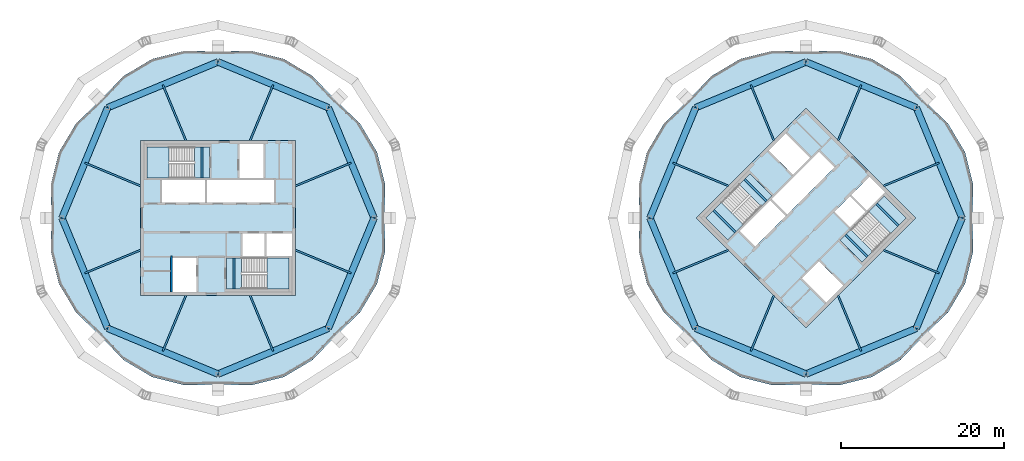
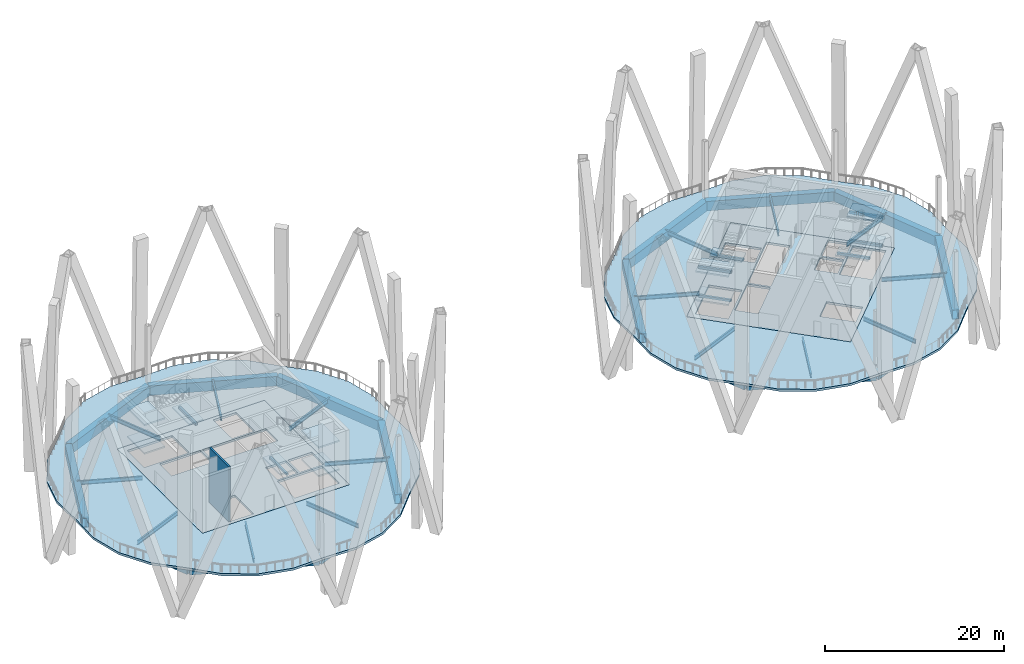
# One storey, part 3 of 13: 40 beams, 16 slabs, 1 wall, 4 elements without a shape of their own.
"""IFC4 building model written with IfcOpenShell, lengths in metres."""

from ifc_helpers import new_model, si_unit, direction, frame, frame_2d, origin, origin_2d, place, context, subcontext, project, spatial, polyline, rectangle, hollow_rectangle, i_section, outline, extrude, material, layer, layer_set, material_profile, profile_set, type_object, element, aggregate, save


model = new_model("IFC4")

# Units and contexts
model_context = context("Model", 3, precision=1e-05, world=origin(), true_north=direction((0.0, 1.0)))
body_context = subcontext(model_context, "Body", "Model", "MODEL_VIEW")
ifc_project = project(units=[si_unit("LENGTHUNIT", "METRE"), si_unit("AREAUNIT", "SQUARE_METRE"), si_unit("VOLUMEUNIT", "CUBIC_METRE"), si_unit("PLANEANGLEUNIT", "RADIAN"), si_unit("MASSUNIT", "GRAM", prefix="KILO")], contexts=[model_context])

# Site, building, storey
site_placement = place(None, origin())
site = spatial("IfcSite", under=ifc_project, at=site_placement, CompositionType="ELEMENT")
building_placement = place(site_placement, origin())
building = spatial("IfcBuilding", under=site, at=building_placement, Name="Ogive Gate Towers", CompositionType="ELEMENT")
storey_placement = place(building_placement, frame((0.0, 0.0, 221.10009765625)))
storey = spatial("IfcBuildingStorey", under=building, at=storey_placement, Name="L53", CompositionType="ELEMENT", Elevation=221.10009765625)

# Beams
ifc_material_1 = material(Name="Steel SM460", Category="steel")
ifc_material_profile_1 = material_profile(ifc_material_1, hollow_rectangle(XDim=0.800048828125, YDim=1.300048828125, WallThickness=0.050048828125, at=origin_2d()), Name="BX 1300x800x50")
ifc_profile_set_1 = profile_set([ifc_material_profile_1], Name="Steel SM460")
beam_type_1 = type_object("IfcBeamType", Name="Edge girder BX 1300x800x50", PredefinedType="BEAM", material=ifc_profile_set_1)
for number, where, z_axis, x_axis, name in (
    (1, (-49.5126953125, -13.5126953125, -0.9501953125), (0.923872994947, -0.38269921506, 0.0), (0.38269921506, 0.923872994947, 0.0), "T1/L53/SBM009"),
    (2, (-36.0, -19.110107421875, -0.9501953125), (0.923872994947, 0.38269921506, 0.0), (-0.38269921506, 0.923872994947, 0.0), "T1/L53/SBM010"),
    (3, (-22.4873046875, -13.5126953125, -0.9501953125), (0.38269921506, 0.923872994947, 0.0), (-0.923872994947, 0.38269921506, 0.0), "T1/L53/SBM011"),
    (4, (-16.889892578125, 0.0, -0.9501953125), (-0.38269921506, 0.923872994947, 0.0), (-0.923872994947, -0.38269921506, 0.0), "T1/L53/SBM012"),
    (5, (-22.4873046875, 13.5126953125, -0.9501953125), (-0.923872994947, 0.38269921506, 0.0), (-0.38269921506, -0.923872994947, 0.0), "T1/L53/SBM013"),
    (6, (-36.0, 19.110107421875, -0.9501953125), (-0.923872994947, -0.38269921506, 0.0), (0.38269921506, -0.923872994947, 0.0), "T1/L53/SBM014"),
    (7, (-49.5126953125, 13.5126953125, -0.9501953125), (-0.38269921506, -0.923872994947, 0.0), (0.923872994947, -0.38269921506, 0.0), "T1/L53/SBM015"),
    (8, (-55.110107421875, 0.0, -0.9501953125), (0.38269921506, -0.923872994947, 0.0), (0.923872994947, 0.38269921506, 0.0), "T1/L53/SBM016"),
    (9, (22.4873046875, -13.5126953125, -0.9501953125), (0.923872994947, -0.38269921506, 0.0), (0.38269921506, 0.923872994947, 0.0), "T2/L53/SBM009"),
    (10, (36.0, -19.110107421875, -0.9501953125), (0.923872994947, 0.38269921506, 0.0), (-0.38269921506, 0.923872994947, 0.0), "T2/L53/SBM010"),
    (11, (49.5126953125, -13.5126953125, -0.9501953125), (0.38269921506, 0.923872994947, 0.0), (-0.923872994947, 0.38269921506, 0.0), "T2/L53/SBM011"),
    (12, (55.110107421875, 0.0, -0.9501953125), (-0.38269921506, 0.923872994947, 0.0), (-0.923872994947, -0.38269921506, 0.0), "T2/L53/SBM012"),
    (13, (49.5126953125, 13.5126953125, -0.9501953125), (-0.923872994947, 0.38269921506, 0.0), (-0.38269921506, -0.923872994947, 0.0), "T2/L53/SBM013"),
    (14, (36.0, 19.110107421875, -0.9501953125), (-0.923872994947, -0.38269921506, 0.0), (0.38269921506, -0.923872994947, 0.0), "T2/L53/SBM014"),
    (15, (22.4873046875, 13.5126953125, -0.9501953125), (-0.38269921506, -0.923872994947, 0.0), (0.923872994947, -0.38269921506, 0.0), "T2/L53/SBM015"),
    (16, (16.889892578125, 0.0, -0.9501953125), (0.38269921506, -0.923872994947, 0.0), (0.923872994947, 0.38269921506, 0.0), "T2/L53/SBM016"),
):
    element("IfcBeam", number, at=place(storey_placement, frame(where, z_axis=z_axis, x_axis=x_axis)), inside=storey, type_object=beam_type_1, Name=name, PredefinedType="BEAM", context=body_context, shape_type="SweptSolid", body=[
        extrude(hollow_rectangle(XDim=0.800048828125, YDim=1.300048828125, WallThickness=0.050048828125, at=origin_2d()), origin(), (0.0, 0.0, 1.0), 14.626220703125),
    ])
ifc_material_2 = material(Name="Concrete C40/50", Category="concrete")
ifc_material_profile_2 = material_profile(ifc_material_2, rectangle(XDim=0.25, YDim=0.300048828125, at=origin_2d()), Name="RC 250x300")
ifc_profile_set_2 = profile_set([ifc_material_profile_2], Name="Concrete C40/50")
beam_type_2 = type_object("IfcBeamType", Name="Landing bearer RC 250x300", PredefinedType="BEAM", material=ifc_profile_set_2)
for number, where, z_axis, x_axis, name in (
    (17, (-37.955078125, 8.699951171875, 3.5498046875), (0.0, -1.0, 0.0), (1.0, 0.0, 0.0), "T1 L53 stair 1 landing bearer 2"),
    (18, (-34.044921875, -8.699951171875, 3.5498046875), (0.0, 1.0, 0.0), (-1.0, 0.0, 0.0), "T1 L53 stair 2 landing bearer 2"),
    (19, (24.650390625, 0.9541015625, 1.599853515625), (0.707106781187, -0.707106781187, 0.0), (0.707106781187, 0.707106781187, 0.0), "T2 L53 stair 1 landing bearer 1"),
    (20, (28.4658203125, 4.769287109375, 3.5498046875), (0.707106781187, -0.707106781187, 0.0), (0.707106781187, 0.707106781187, 0.0), "T2 L53 stair 1 landing bearer 2"),
    (21, (24.650390625, 0.9541015625, 5.5), (0.707106781187, -0.707106781187, 0.0), (0.707106781187, 0.707106781187, 0.0), "T2 L53 stair 1 landing bearer 3"),
    (22, (47.349609375, -0.9541015625, 1.599853515625), (-0.707106781187, 0.707106781187, 0.0), (-0.707106781187, -0.707106781187, 0.0), "T2 L53 stair 2 landing bearer 1"),
    (23, (43.5341796875, -4.769287109375, 3.5498046875), (-0.707106781187, 0.707106781187, 0.0), (-0.707106781187, -0.707106781187, 0.0), "T2 L53 stair 2 landing bearer 2"),
    (24, (47.349609375, -0.9541015625, 5.5), (-0.707106781187, 0.707106781187, 0.0), (-0.707106781187, -0.707106781187, 0.0), "T2 L53 stair 2 landing bearer 3"),
):
    element("IfcBeam", number, at=place(storey_placement, frame(where, z_axis=z_axis, x_axis=x_axis)), inside=storey, type_object=beam_type_2, Name=name, PredefinedType="BEAM", context=body_context, shape_type="SweptSolid", body=[
        extrude(rectangle(XDim=0.25, YDim=0.300048828125, at=origin_2d()), origin(), (0.0, 0.0, 1.0), 3.824951171875),
    ])
ifc_material_3 = material(Name="Steel SM355", Category="steel")
ifc_material_profile_3 = material_profile(ifc_material_3, i_section(OverallWidth=0.2099609375, OverallDepth=0.550048828125, WebThickness=0.010986328125, FlangeThickness=0.01708984375, FilletRadius=0.02392578125, at=origin_2d()), Name="IPE 550")
ifc_profile_set_3 = profile_set([ifc_material_profile_3], Name="Steel SM355")
beam_type_3 = type_object("IfcBeamType", Name="Radial floor beam IPE 550", PredefinedType="BEAM", material=ifc_profile_set_3)
for number, where, z_axis, x_axis, name in (
    (25, (-39.93505859375, -9.5, -0.5751953125), (-0.382667649558, -0.923886069806, 0.0), (0.923886069806, -0.382667649558, 0.0), "T1/L53/SBM001"),
    (26, (-32.06494140625, -9.5, -0.5751953125), (0.382667649558, -0.923886069806, 0.0), (0.923886069806, 0.382667649558, 0.0), "T1/L53/SBM002"),
    (27, (-26.5, -3.93505859375, -0.5751953125), (0.923886069806, -0.382667649558, 0.0), (0.382667649558, 0.923886069806, 0.0), "T1/L53/SBM003"),
    (28, (-26.5, 3.93505859375, -0.5751953125), (0.923886069806, 0.382667649558, 0.0), (-0.382667649558, 0.923886069806, 0.0), "T1/L53/SBM004"),
    (29, (-32.06494140625, 9.5, -0.5751953125), (0.382667649558, 0.923886069806, 0.0), (-0.923886069806, 0.382667649558, 0.0), "T1/L53/SBM005"),
    (30, (-39.93505859375, 9.5, -0.5751953125), (-0.382667649558, 0.923886069806, 0.0), (-0.923886069806, -0.382667649558, 0.0), "T1/L53/SBM006"),
    (31, (-45.5, 3.93505859375, -0.5751953125), (-0.923886069806, 0.382667649558, 0.0), (-0.382667649558, -0.923886069806, 0.0), "T1/L53/SBM007"),
    (32, (-45.5, -3.93505859375, -0.5751953125), (-0.923886069806, -0.382667649558, 0.0), (0.382667649558, -0.923886069806, 0.0), "T1/L53/SBM008"),
    (33, (32.06494140625, -9.5, -0.5751953125), (-0.382667649558, -0.923886069806, 0.0), (0.923886069806, -0.382667649558, 0.0), "T2/L53/SBM001"),
    (34, (39.93505859375, -9.5, -0.5751953125), (0.382667649558, -0.923886069806, 0.0), (0.923886069806, 0.382667649558, 0.0), "T2/L53/SBM002"),
    (35, (45.5, -3.93505859375, -0.5751953125), (0.923886069806, -0.382667649558, 0.0), (0.382667649558, 0.923886069806, 0.0), "T2/L53/SBM003"),
    (36, (45.5, 3.93505859375, -0.5751953125), (0.923886069806, 0.382667649558, 0.0), (-0.382667649558, 0.923886069806, 0.0), "T2/L53/SBM004"),
    (37, (39.93505859375, 9.5, -0.5751953125), (0.382667649558, 0.923886069806, 0.0), (-0.923886069806, 0.382667649558, 0.0), "T2/L53/SBM005"),
    (38, (32.06494140625, 9.5, -0.5751953125), (-0.382667649558, 0.923886069806, 0.0), (-0.923886069806, -0.382667649558, 0.0), "T2/L53/SBM006"),
    (39, (26.5, 3.93505859375, -0.5751953125), (-0.923886069806, 0.382667649558, 0.0), (-0.382667649558, -0.923886069806, 0.0), "T2/L53/SBM007"),
    (40, (26.5, -3.93505859375, -0.5751953125), (-0.923886069806, -0.382667649558, 0.0), (0.382667649558, -0.923886069806, 0.0), "T2/L53/SBM008"),
):
    element("IfcBeam", number, at=place(storey_placement, frame(where, z_axis=z_axis, x_axis=x_axis)), inside=storey, type_object=beam_type_3, Name=name, PredefinedType="BEAM", context=body_context, shape_type="SweptSolid", body=[
        extrude(i_section(OverallWidth=0.2099609375, OverallDepth=0.550048828125, WebThickness=0.010986328125, FlangeThickness=0.01708984375, FilletRadius=0.02392578125, at=origin_2d()), origin(), (0.0, 0.0, 1.0), 7.372802734375),
    ])

# Slabs
ifc_layer_1 = layer(ifc_material_2, 0.300048828125)
ifc_layer_set_1 = layer_set([ifc_layer_1], Name="Core slab C40/50 300 mm")
slab_type_1 = type_object("IfcSlabType", Name="Core slab C40/50 300 mm", PredefinedType="FLOOR", material=ifc_layer_set_1)
slab_1_placement = place(storey_placement, frame((0.0, 0.0, -0.300048828125)))
element("IfcSlab", 41, at=slab_1_placement, inside=storey, type_object=slab_type_1, Name="T1 L53 core slab", PredefinedType="FLOOR", context=body_context, shape_type="SweptSolid", body=[
    extrude(outline(polyline([(-45.5, -9.5), (-45.5, 9.5), (-26.5, 9.5), (-26.5, -9.5), (-45.5, -9.5)]), holes=[polyline([(-42.875, 1.925048828125), (-37.574951171875, 1.925048828125), (-37.574951171875, 4.625), (-42.875, 4.625), (-42.875, 1.925048828125)]), polyline([(-37.324951171875, 4.625), (-37.324951171875, 1.925048828125), (-29.125, 1.925048828125), (-29.125, 4.625), (-37.324951171875, 4.625)]), polyline([(-30.324951171875, -1.925048828125), (-32.97509765625, -1.925048828125), (-32.97509765625, -4.625), (-30.324951171875, -4.625), (-30.324951171875, -1.925048828125)]), polyline([(-26.949951171875, -4.625), (-26.949951171875, -1.925048828125), (-30.074951171875, -1.925048828125), (-30.074951171875, -4.625), (-26.949951171875, -4.625)]), polyline([(-33.375, 4.875), (-30.425048828125, 4.875), (-30.425048828125, 9.050048828125), (-33.375, 9.050048828125), (-33.375, 4.875)]), polyline([(-41.574951171875, -4.875), (-41.574951171875, -9.050048828125), (-38.625, -9.050048828125), (-38.625, -4.875), (-41.574951171875, -4.875)]), polyline([(-44.699951171875, 4.875), (-38.885009765625, 4.875), (-38.885009765625, 8.699951171875), (-44.699951171875, 8.699951171875), (-44.699951171875, 4.875)]), polyline([(-27.300048828125, -8.699951171875), (-27.300048828125, -4.875), (-33.114990234375, -4.875), (-33.114990234375, -8.699951171875), (-27.300048828125, -8.699951171875)])]), origin(), (0.0, 0.0, 1.0), 0.300048828125),
])
slab_2_placement = place(storey_placement, frame((0.0, 0.0, -0.300048828125)))
element("IfcSlab", 42, at=slab_2_placement, inside=storey, type_object=slab_type_1, Name="T2 L53 core slab", PredefinedType="FLOOR", context=body_context, shape_type="SweptSolid", body=[
    extrude(outline(polyline([(36.0, -13.43505859375), (22.56494140625, 0.0), (36.0, 13.43505859375), (49.43505859375, 0.0), (36.0, -13.43505859375)]), holes=[polyline([(29.777587890625, -3.500244140625), (33.525146484375, 0.24755859375), (31.615966796875, 2.15673828125), (27.868408203125, -1.591064453125), (29.777587890625, -3.500244140625)]), polyline([(31.792724609375, 2.33349609375), (33.701904296875, 0.42431640625), (39.500244140625, 6.222412109375), (37.591064453125, 8.131591796875), (31.792724609375, 2.33349609375)]), polyline([(41.3740234375, 2.651611328125), (39.500244140625, 0.77783203125), (41.409423828125, -1.13134765625), (43.283203125, 0.742431640625), (41.3740234375, 2.651611328125)]), polyline([(45.669677734375, 3.12890625), (43.760498046875, 5.0380859375), (41.55078125, 2.828369140625), (43.4599609375, 0.919189453125), (45.669677734375, 3.12890625)]), polyline([(34.408935546875, 5.30322265625), (36.4951171875, 7.389404296875), (33.542724609375, 10.34130859375), (31.456787109375, 8.255615234375), (34.408935546875, 5.30322265625)]), polyline([(35.5048828125, -7.389404296875), (38.457275390625, -10.34130859375), (40.543212890625, -8.255615234375), (37.591064453125, -5.30322265625), (35.5048828125, -7.389404296875)]), polyline([(26.40087890625, -2.70458984375), (30.512939453125, 1.406982421875), (27.80810546875, 4.11181640625), (23.6962890625, 0.0), (26.40087890625, -2.70458984375)]), polyline([(48.3037109375, 0.0), (45.59912109375, 2.70458984375), (41.487060546875, -1.406982421875), (44.19189453125, -4.11181640625), (48.3037109375, 0.0)])]), origin(), (0.0, 0.0, 1.0), 0.300048828125),
])
ifc_material_4 = material(Name="Concrete C35/45", Category="concrete")
ifc_layer_2 = layer(ifc_material_4, 0.300048828125)
ifc_layer_set_2 = layer_set([ifc_layer_2], Name="Floor slab 300")
slab_type_2 = type_object("IfcSlabType", Name="Floor slab 300", PredefinedType="FLOOR", material=ifc_layer_set_2)
slab_3_placement = place(storey_placement, frame((0.0, 0.0, -0.300048828125)))
element("IfcSlab", 43, at=slab_3_placement, inside=storey, type_object=slab_type_2, Name="T1/L53/SSL001", PredefinedType="FLOOR", context=body_context, shape_type="SweptSolid", body=[
    extrude(outline(polyline([(-15.521240234375, -4.073486328125), (-15.6201171875, 0.0), (-15.521240234375, 4.073486328125), (-16.524658203125, 8.06689453125), (-18.638916015625, 11.600341796875), (-21.589111328125, 14.410888671875), (-24.399658203125, 17.361083984375), (-27.93310546875, 19.475341796875), (-31.926513671875, 20.478759765625), (-36.0, 20.3798828125), (-40.073486328125, 20.478759765625), (-44.06689453125, 19.475341796875), (-47.600341796875, 17.361083984375), (-50.410888671875, 14.410888671875), (-53.361083984375, 11.600341796875), (-55.475341796875, 8.06689453125), (-56.478759765625, 4.073486328125), (-56.3798828125, 0.0), (-56.478759765625, -4.073486328125), (-55.475341796875, -8.06689453125), (-53.361083984375, -11.600341796875), (-50.410888671875, -14.410888671875), (-47.600341796875, -17.361083984375), (-44.06689453125, -19.475341796875), (-40.073486328125, -20.478759765625), (-36.0, -20.3798828125), (-31.926513671875, -20.478759765625), (-27.93310546875, -19.475341796875), (-24.399658203125, -17.361083984375), (-21.589111328125, -14.410888671875), (-18.638916015625, -11.600341796875), (-16.524658203125, -8.06689453125), (-15.521240234375, -4.073486328125)]), holes=[polyline([(-26.5, -9.5), (-45.5, -9.5), (-45.5, 9.5), (-26.5, 9.5), (-26.5, -9.5)])]), origin(), (0.0, 0.0, 1.0), 0.300048828125),
])
slab_4_placement = place(storey_placement, frame((0.0, 0.0, -0.300048828125)))
element("IfcSlab", 44, at=slab_4_placement, inside=storey, type_object=slab_type_2, Name="T2/L53/SSL001", PredefinedType="FLOOR", context=body_context, shape_type="SweptSolid", body=[
    extrude(outline(polyline([(56.478759765625, -4.073486328125), (56.3798828125, 0.0), (56.478759765625, 4.073486328125), (55.475341796875, 8.06689453125), (53.361083984375, 11.600341796875), (50.410888671875, 14.410888671875), (47.600341796875, 17.361083984375), (44.06689453125, 19.475341796875), (40.073486328125, 20.478759765625), (36.0, 20.3798828125), (31.926513671875, 20.478759765625), (27.93310546875, 19.475341796875), (24.399658203125, 17.361083984375), (21.589111328125, 14.410888671875), (18.638916015625, 11.600341796875), (16.524658203125, 8.06689453125), (15.521240234375, 4.073486328125), (15.6201171875, 0.0), (15.521240234375, -4.073486328125), (16.524658203125, -8.06689453125), (18.638916015625, -11.600341796875), (21.589111328125, -14.410888671875), (24.399658203125, -17.361083984375), (27.93310546875, -19.475341796875), (31.926513671875, -20.478759765625), (36.0, -20.3798828125), (40.073486328125, -20.478759765625), (44.06689453125, -19.475341796875), (47.600341796875, -17.361083984375), (50.410888671875, -14.410888671875), (53.361083984375, -11.600341796875), (55.475341796875, -8.06689453125), (56.478759765625, -4.073486328125)]), holes=[polyline([(49.43505859375, 0.0), (36.0, -13.43505859375), (22.56494140625, 0.0), (36.0, 13.43505859375), (49.43505859375, 0.0)])]), origin(), (0.0, 0.0, 1.0), 0.300048828125),
])

# Stair, slabs
stair_type = type_object("IfcStairType", Name="Escape stair 1840 wide", PredefinedType="HALF_TURN_STAIR", material=ifc_material_2)
stair_1_placement = place(storey_placement, origin())
stair_1 = element("IfcStair", 45, at=stair_1_placement, inside=storey, type_object=stair_type, Name="L53 Escape stair 1", PredefinedType="HALF_TURN_STAIR")
ifc_layer_3 = layer(ifc_material_2, 0.199951171875)
ifc_layer_set_3 = layer_set([ifc_layer_3], Name="Stair landing 200 mm")
slab_type_3 = type_object("IfcSlabType", Name="Stair landing 200 mm", PredefinedType="LANDING", material=ifc_layer_set_3)
slab_5_placement = place(storey_placement, frame((0.0, 0.0, 1.75)))
slab_5 = element("IfcSlab", 46, at=slab_5_placement, type_object=slab_type_3, Name="ST1 landing 1", PredefinedType="LANDING", context=body_context, shape_type="SweptSolid", body=[
    extrude(outline(polyline([(-42.00146484375, 8.699951171875), (-44.699951171875, 8.699951171875), (-44.699951171875, 4.875), (-42.00146484375, 4.875), (-42.00146484375, 8.699951171875)])), origin(), (0.0, 0.0, 1.0), 0.199951171875),
])
slab_6_placement = place(storey_placement, frame((0.0, 0.0, 3.699951171875)))
slab_6 = element("IfcSlab", 47, at=slab_6_placement, type_object=slab_type_3, Name="ST1 landing 2", PredefinedType="LANDING", context=body_context, shape_type="SweptSolid", body=[
    extrude(outline(polyline([(-37.02490234375, 8.699951171875), (-38.885009765625, 8.699951171875), (-38.885009765625, 4.875), (-37.02490234375, 4.875), (-37.02490234375, 8.699951171875)])), origin(), (0.0, 0.0, 1.0), 0.199951171875),
])
slab_7_placement = place(storey_placement, frame((0.0, 0.0, 5.64990234375)))
slab_7 = element("IfcSlab", 48, at=slab_7_placement, type_object=slab_type_3, Name="ST1 landing 3", PredefinedType="LANDING", context=body_context, shape_type="SweptSolid", body=[
    extrude(outline(polyline([(-42.00146484375, 8.699951171875), (-44.699951171875, 8.699951171875), (-44.699951171875, 4.875), (-42.00146484375, 4.875), (-42.00146484375, 8.699951171875)])), origin(), (0.0, 0.0, 1.0), 0.199951171875),
])
aggregate(stair_1, [slab_5, slab_6, slab_7])

stair_2_placement = place(storey_placement, origin())
stair_2 = element("IfcStair", 49, at=stair_2_placement, inside=storey, type_object=stair_type, Name="L53 Escape stair 2", PredefinedType="HALF_TURN_STAIR")
slab_8_placement = place(storey_placement, frame((0.0, 0.0, 1.75)))
slab_8 = element("IfcSlab", 50, at=slab_8_placement, type_object=slab_type_3, Name="ST2 landing 1", PredefinedType="LANDING", context=body_context, shape_type="SweptSolid", body=[
    extrude(outline(polyline([(-29.99853515625, -8.699951171875), (-27.300048828125, -8.699951171875), (-27.300048828125, -4.875), (-29.99853515625, -4.875), (-29.99853515625, -8.699951171875)])), origin(), (0.0, 0.0, 1.0), 0.199951171875),
])
slab_9_placement = place(storey_placement, frame((0.0, 0.0, 3.699951171875)))
slab_9 = element("IfcSlab", 51, at=slab_9_placement, type_object=slab_type_3, Name="ST2 landing 2", PredefinedType="LANDING", context=body_context, shape_type="SweptSolid", body=[
    extrude(outline(polyline([(-34.97509765625, -8.699951171875), (-33.114990234375, -8.699951171875), (-33.114990234375, -4.875), (-34.97509765625, -4.875), (-34.97509765625, -8.699951171875)])), origin(), (0.0, 0.0, 1.0), 0.199951171875),
])
slab_10_placement = place(storey_placement, frame((0.0, 0.0, 5.64990234375)))
slab_10 = element("IfcSlab", 52, at=slab_10_placement, type_object=slab_type_3, Name="ST2 landing 3", PredefinedType="LANDING", context=body_context, shape_type="SweptSolid", body=[
    extrude(outline(polyline([(-29.99853515625, -8.699951171875), (-27.300048828125, -8.699951171875), (-27.300048828125, -4.875), (-29.99853515625, -4.875), (-29.99853515625, -8.699951171875)])), origin(), (0.0, 0.0, 1.0), 0.199951171875),
])
aggregate(stair_2, [slab_8, slab_9, slab_10])

stair_3_placement = place(storey_placement, origin())
stair_3 = element("IfcStair", 53, at=stair_3_placement, inside=storey, type_object=stair_type, Name="L53 Escape stair 1", PredefinedType="HALF_TURN_STAIR")
slab_11_placement = place(storey_placement, frame((0.0, 0.0, 1.75)))
slab_11 = element("IfcSlab", 54, at=slab_11_placement, type_object=slab_type_3, Name="ST1 landing 1", PredefinedType="LANDING", context=body_context, shape_type="SweptSolid", body=[
    extrude(outline(polyline([(25.6044921875, 1.908203125), (23.6962890625, 0.0), (26.401123046875, -2.70458984375), (28.309326171875, -0.79638671875), (25.6044921875, 1.908203125)])), origin(), (0.0, 0.0, 1.0), 0.199951171875),
])
slab_12_placement = place(storey_placement, frame((0.0, 0.0, 3.699951171875)))
slab_12 = element("IfcSlab", 55, at=slab_12_placement, type_object=slab_type_3, Name="ST1 landing 2", PredefinedType="LANDING", context=body_context, shape_type="SweptSolid", body=[
    extrude(outline(polyline([(29.123291015625, 5.427001953125), (27.80810546875, 4.11181640625), (30.512939453125, 1.4072265625), (31.828125, 2.722412109375), (29.123291015625, 5.427001953125)])), origin(), (0.0, 0.0, 1.0), 0.199951171875),
])
slab_13_placement = place(storey_placement, frame((0.0, 0.0, 5.64990234375)))
slab_13 = element("IfcSlab", 56, at=slab_13_placement, type_object=slab_type_3, Name="ST1 landing 3", PredefinedType="LANDING", context=body_context, shape_type="SweptSolid", body=[
    extrude(outline(polyline([(25.6044921875, 1.908203125), (23.6962890625, 0.0), (26.401123046875, -2.70458984375), (28.309326171875, -0.79638671875), (25.6044921875, 1.908203125)])), origin(), (0.0, 0.0, 1.0), 0.199951171875),
])
aggregate(stair_3, [slab_11, slab_12, slab_13])

stair_4_placement = place(storey_placement, origin())
stair_4 = element("IfcStair", 57, at=stair_4_placement, inside=storey, type_object=stair_type, Name="L53 Escape stair 2", PredefinedType="HALF_TURN_STAIR")
slab_14_placement = place(storey_placement, frame((0.0, 0.0, 1.75)))
slab_14 = element("IfcSlab", 58, at=slab_14_placement, type_object=slab_type_3, Name="ST2 landing 1", PredefinedType="LANDING", context=body_context, shape_type="SweptSolid", body=[
    extrude(outline(polyline([(46.3955078125, -1.908203125), (48.3037109375, 0.0), (45.598876953125, 2.70458984375), (43.690673828125, 0.79638671875), (46.3955078125, -1.908203125)])), origin(), (0.0, 0.0, 1.0), 0.199951171875),
])
slab_15_placement = place(storey_placement, frame((0.0, 0.0, 3.699951171875)))
slab_15 = element("IfcSlab", 59, at=slab_15_placement, type_object=slab_type_3, Name="ST2 landing 2", PredefinedType="LANDING", context=body_context, shape_type="SweptSolid", body=[
    extrude(outline(polyline([(42.876708984375, -5.427001953125), (44.19189453125, -4.11181640625), (41.487060546875, -1.4072265625), (40.171875, -2.722412109375), (42.876708984375, -5.427001953125)])), origin(), (0.0, 0.0, 1.0), 0.199951171875),
])
slab_16_placement = place(storey_placement, frame((0.0, 0.0, 5.64990234375)))
slab_16 = element("IfcSlab", 60, at=slab_16_placement, type_object=slab_type_3, Name="ST2 landing 3", PredefinedType="LANDING", context=body_context, shape_type="SweptSolid", body=[
    extrude(outline(polyline([(46.3955078125, -1.908203125), (48.3037109375, 0.0), (45.598876953125, 2.70458984375), (43.690673828125, 0.79638671875), (46.3955078125, -1.908203125)])), origin(), (0.0, 0.0, 1.0), 0.199951171875),
])
aggregate(stair_4, [slab_14, slab_15, slab_16])

# Wall
ifc_material_5 = material(Name="Concrete C60/75", Category="concrete")
ifc_layer_4 = layer(ifc_material_5, 0.25)
ifc_layer_set_4 = layer_set([ifc_layer_4], Name="Shaft wall 250 mm")
wall_type = type_object("IfcWallType", Name="Shaft wall 250 mm", PredefinedType="SHEAR", material=ifc_layer_set_4)
wall_placement = place(storey_placement, frame((-41.699951171875, -9.050048828125, 0.0), z_axis=(0.0, 0.0, 1.0), x_axis=(0.0, 1.0, 0.0)))
element("IfcWall", 61, at=wall_placement, inside=storey, type_object=wall_type, Name="T1 L53 Shaft wall 250 mm", PredefinedType="SHEAR", context=body_context, shape_type="SweptSolid", body=[
    extrude(rectangle(XDim=4.375, YDim=0.25, at=frame_2d((2.1875, 0.0))), origin(), (0.0, 0.0, 1.0), 7.5),
])

save(model, "model.ifc")
